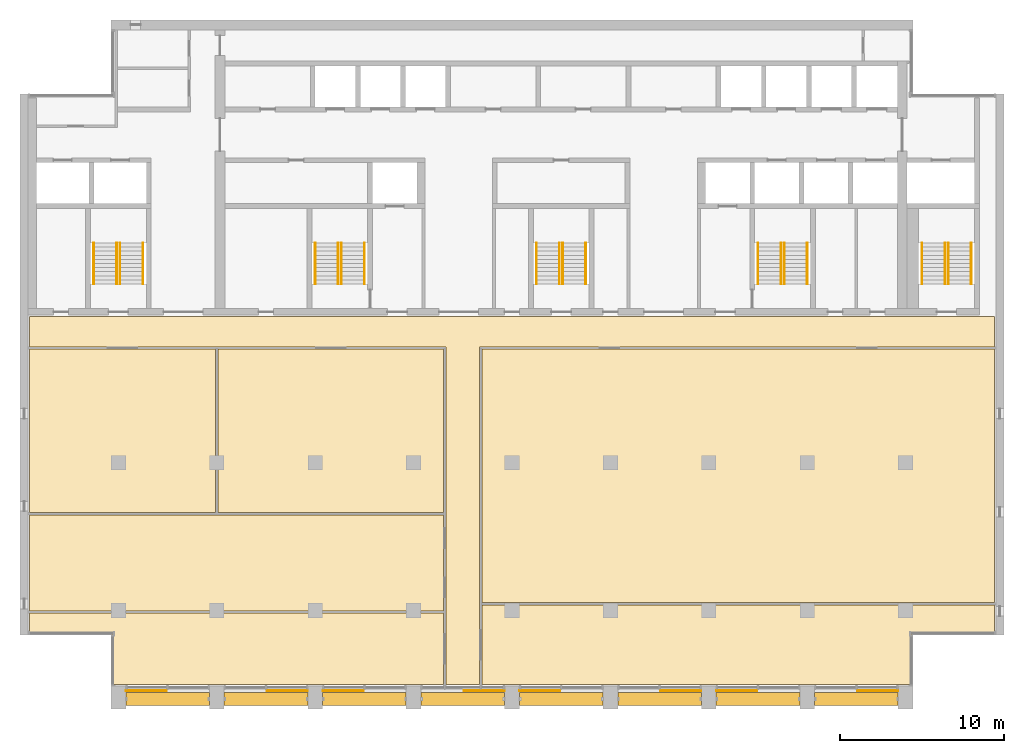
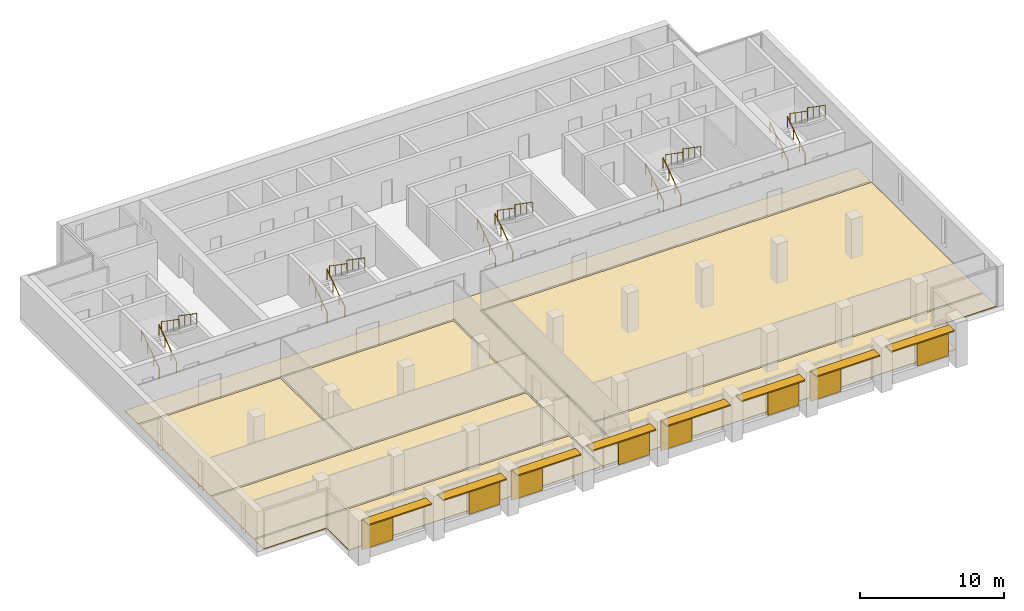
# One storey, part 14 of 14: 20 railings, 16 shading devices, 7 coverings, 5 elements without a shape of their own.
"""IFC4 building model written with IfcOpenShell, lengths in metres."""

from ifc_helpers import new_model, si_unit, direction, frame, origin, origin_2d, place, context, subcontext, project, spatial, polyline, rectangle, circle, outline, extrude, material, layer, layer_set, material_profile, profile_set, type_object, element, aggregate, save


model = new_model("IFC4")

# Units and contexts
model_context = context("Model", 3, precision=1e-05, world=origin(), true_north=direction((0.0, 1.0)))
body_context = subcontext(model_context, "Body", "Model", "MODEL_VIEW")
ifc_project = project(units=[si_unit("LENGTHUNIT", "METRE"), si_unit("AREAUNIT", "SQUARE_METRE"), si_unit("VOLUMEUNIT", "CUBIC_METRE"), si_unit("PLANEANGLEUNIT", "RADIAN"), si_unit("MASSUNIT", "GRAM", prefix="KILO")], contexts=[model_context])

# Site, building, storey
site_placement = place(None, origin())
site = spatial("IfcSite", under=ifc_project, at=site_placement, CompositionType="ELEMENT")
building_placement = place(site_placement, origin())
building = spatial("IfcBuilding", under=site, at=building_placement, Name="Calvaro Tower", CompositionType="ELEMENT")
storey_placement = place(building_placement, frame((0.0, 0.0, 239.35009765625)))
storey = spatial("IfcBuildingStorey", under=building, at=storey_placement, Name="L60", CompositionType="ELEMENT", Elevation=239.35009765625)

# Shading devices
ifc_material_1 = material(Name="Anodised aluminium", Category="aluminium")
ifc_material_profile = material_profile(ifc_material_1, rectangle(XDim=0.800048828125, YDim=0.10009765625, at=origin_2d()), Name="Brise-soleil blade 800 x 100")
ifc_profile_set = profile_set([ifc_material_profile], Name="Anodised aluminium")
shading_device_type_1 = type_object("IfcShadingDeviceType", Name="Brise-soleil blade 800 x 100", PredefinedType="JALOUSIE", material=ifc_profile_set)
for number, where, z_axis, x_axis, name in (
    (1, (12.449951171875, 4.60009765625, 2.64990234375), (1.0, 0.0, 0.0), (0.0, 1.0, 0.0), "Brise-soleil blade 1"),
    (2, (18.449951171875, 4.60009765625, 2.64990234375), (1.0, 0.0, 0.0), (0.0, 1.0, 0.0), "Brise-soleil blade 2"),
    (3, (24.449951171875, 4.60009765625, 2.64990234375), (1.0, 0.0, 0.0), (0.0, 1.0, 0.0), "Brise-soleil blade 3"),
    (4, (30.449951171875, 4.60009765625, 2.64990234375), (1.0, 0.0, 0.0), (0.0, 1.0, 0.0), "Brise-soleil blade 4"),
    (5, (36.449951171875, 4.60009765625, 2.64990234375), (1.0, 0.0, 0.0), (0.0, 1.0, 0.0), "Brise-soleil blade 5"),
    (6, (42.449951171875, 4.60009765625, 2.64990234375), (1.0, 0.0, 0.0), (0.0, 1.0, 0.0), "Brise-soleil blade 6"),
    (7, (48.449951171875, 4.60009765625, 2.64990234375), (1.0, 0.0, 0.0), (0.0, 1.0, 0.0), "Brise-soleil blade 7"),
    (8, (54.449951171875, 4.60009765625, 2.64990234375), (1.0, 0.0, 0.0), (0.0, 1.0, 0.0), "Brise-soleil blade 8"),
):
    element("IfcShadingDevice", number, at=place(storey_placement, frame(where, z_axis=z_axis, x_axis=x_axis)), inside=storey, type_object=shading_device_type_1, Name=name, PredefinedType="JALOUSIE", context=body_context, shape_type="SweptSolid", body=[
        extrude(rectangle(XDim=0.800048828125, YDim=0.10009765625, at=origin_2d()), origin(), (0.0, 0.0, 1.0), 5.10009765625),
    ])

# Coverings
ifc_material_2 = material(Name="Cement screed with carpet tile finish")
ifc_layer_1 = layer(ifc_material_2, 0.050048828125)
ifc_layer_set_1 = layer_set([ifc_layer_1], Name="Cement screed with carpet tile finish")
covering_type = type_object("IfcCoveringType", Name="Floor finish 50", PredefinedType="FLOORING", material=ifc_layer_set_1)
covering_1_placement = place(storey_placement, origin())
element("IfcCovering", 9, at=covering_1_placement, inside=storey, type_object=covering_type, Name="Floor finish 34.01", PredefinedType="FLOORING", context=body_context, shape_type="SweptSolid", body=[
    extrude(outline(polyline([(31.969970703125, 5.469970703125), (31.969970703125, 26.070068359375), (6.570068359375, 26.070068359375), (6.570068359375, 27.929931640625), (65.429931640625, 27.929931640625), (65.429931640625, 26.070068359375), (34.030029296875, 26.070068359375), (34.030029296875, 5.469970703125), (31.969970703125, 5.469970703125)])), origin(), (0.0, 0.0, 1.0), 0.0498046875),
])
covering_2_placement = place(storey_placement, origin())
element("IfcCovering", 10, at=covering_2_placement, inside=storey, type_object=covering_type, Name="Floor finish 34.02", PredefinedType="FLOORING", context=body_context, shape_type="SweptSolid", body=[
    extrude(outline(polyline([(31.830078125, 9.830078125), (31.830078125, 5.469970703125), (11.6201171875, 5.469970703125), (11.6201171875, 8.570068359375), (6.570068359375, 8.570068359375), (6.570068359375, 9.830078125), (31.830078125, 9.830078125)])), origin(), (0.0, 0.0, 1.0), 0.0498046875),
])
covering_3_placement = place(storey_placement, origin())
element("IfcCovering", 11, at=covering_3_placement, inside=storey, type_object=covering_type, Name="Floor finish 34.04", PredefinedType="FLOORING", context=body_context, shape_type="SweptSolid", body=[
    extrude(outline(polyline([(31.830078125, 15.830078125), (31.830078125, 9.969970703125), (6.570068359375, 9.969970703125), (6.570068359375, 15.830078125), (31.830078125, 15.830078125)])), origin(), (0.0, 0.0, 1.0), 0.0498046875),
])
covering_4_placement = place(storey_placement, origin())
element("IfcCovering", 12, at=covering_4_placement, inside=storey, type_object=covering_type, Name="Floor finish 34.07", PredefinedType="FLOORING", context=body_context, shape_type="SweptSolid", body=[
    extrude(outline(polyline([(17.929931640625, 25.929931640625), (17.929931640625, 15.969970703125), (6.570068359375, 15.969970703125), (6.570068359375, 25.929931640625), (17.929931640625, 25.929931640625)])), origin(), (0.0, 0.0, 1.0), 0.0498046875),
])
covering_5_placement = place(storey_placement, origin())
element("IfcCovering", 13, at=covering_5_placement, inside=storey, type_object=covering_type, Name="Floor finish 34.06", PredefinedType="FLOORING", context=body_context, shape_type="SweptSolid", body=[
    extrude(outline(polyline([(18.070068359375, 15.969970703125), (18.070068359375, 25.929931640625), (31.830078125, 25.929931640625), (31.830078125, 15.969970703125), (18.070068359375, 15.969970703125)])), origin(), (0.0, 0.0, 1.0), 0.0498046875),
])
covering_6_placement = place(storey_placement, origin())
element("IfcCovering", 14, at=covering_6_placement, inside=storey, type_object=covering_type, Name="Floor finish 34.03", PredefinedType="FLOORING", context=body_context, shape_type="SweptSolid", body=[
    extrude(outline(polyline([(65.429931640625, 8.570068359375), (60.3798828125, 8.570068359375), (60.3798828125, 5.469970703125), (34.169921875, 5.469970703125), (34.169921875, 10.330078125), (65.429931640625, 10.330078125), (65.429931640625, 8.570068359375)])), origin(), (0.0, 0.0, 1.0), 0.0498046875),
])
covering_7_placement = place(storey_placement, origin())
element("IfcCovering", 15, at=covering_7_placement, inside=storey, type_object=covering_type, Name="Floor finish 34.05", PredefinedType="FLOORING", context=body_context, shape_type="SweptSolid", body=[
    extrude(outline(polyline([(65.429931640625, 10.469970703125), (34.169921875, 10.469970703125), (34.169921875, 25.929931640625), (65.429931640625, 25.929931640625), (65.429931640625, 10.469970703125)])), origin(), (0.0, 0.0, 1.0), 0.0498046875),
])

# Shading devices
ifc_material_3 = material(Name="Ceramic")
ifc_layer_2 = layer(ifc_material_3, 0.0400390625)
ifc_layer_set_2 = layer_set([ifc_layer_2], Name="Ceramic")
shading_device_type_2 = type_object("IfcShadingDeviceType", Name="Sliding ceramic screen 2500", PredefinedType="SHUTTER", material=ifc_layer_set_2)
for number, where, z_axis, x_axis, name in (
    (16, (13.699951171875, 5.10009765625, -0.000244140625), (0.0, 0.0, 1.0), (1.0, 0.0, 0.0), "Sliding screen 1"),
    (17, (22.300048828125, 5.10009765625, -0.000244140625), (0.0, 0.0, 1.0), (1.0, 0.0, 0.0), "Sliding screen 2"),
    (18, (25.699951171875, 5.10009765625, -0.000244140625), (0.0, 0.0, 1.0), (1.0, 0.0, 0.0), "Sliding screen 3"),
    (19, (34.300048828125, 5.10009765625, -0.000244140625), (0.0, 0.0, 1.0), (1.0, 0.0, 0.0), "Sliding screen 4"),
    (20, (37.699951171875, 5.10009765625, -0.000244140625), (0.0, 0.0, 1.0), (1.0, 0.0, 0.0), "Sliding screen 5"),
    (21, (46.300048828125, 5.10009765625, -0.000244140625), (0.0, 0.0, 1.0), (1.0, 0.0, 0.0), "Sliding screen 6"),
    (22, (49.699951171875, 5.10009765625, -0.000244140625), (0.0, 0.0, 1.0), (1.0, 0.0, 0.0), "Sliding screen 7"),
    (23, (58.300048828125, 5.10009765625, -0.000244140625), (0.0, 0.0, 1.0), (1.0, 0.0, 0.0), "Sliding screen 8"),
):
    element("IfcShadingDevice", number, at=place(storey_placement, frame(where, z_axis=z_axis, x_axis=x_axis)), inside=storey, type_object=shading_device_type_2, Name=name, PredefinedType="SHUTTER", context=body_context, shape_type="SweptSolid", body=[
        extrude(rectangle(XDim=2.5, YDim=0.0400390625, at=origin_2d()), origin(), (0.0, 0.0, 1.0), 2.60009765625),
    ])

# Stair, railings
ifc_material_4 = material(Name="Concrete C40/50", Category="concrete")
stair_type = type_object("IfcStairType", Name="Exit stair 1400 2 flights", PredefinedType="HALF_TURN_STAIR", material=ifc_material_4)
stair_1_placement = place(storey_placement, origin())
stair_1 = element("IfcStair", 24, at=stair_1_placement, inside=storey, type_object=stair_type, Name="Exit stair S1", PredefinedType="HALF_TURN_STAIR")
ifc_material_5 = material(Name="Stainless steel", Category="steel")
railing_type = type_object("IfcRailingType", Name="Stair handrail", PredefinedType="HANDRAIL", material=ifc_material_5)
railing_1_placement = place(storey_placement, frame((11.89990234375, 29.89990234375, 0.172607421875)))
railing_1 = element("IfcRailing", 25, at=railing_1_placement, type_object=railing_type, Name="Exit stair 1 handrail", PredefinedType="HANDRAIL", context=body_context, shape_type="SweptSolid", body=[
    extrude(circle(Radius=0.02392578125, at=origin_2d()), frame((0.0, 0.0, 0.8759765625), z_axis=(0.0, 0.822726922227, 0.568436813941), x_axis=(-1.0, 0.0, 0.0)), (0.0, 0.0, 1.0), 3.03857421875),
    extrude(circle(Radius=0.02099609375, at=origin_2d()), frame((0.0, 0.017333984375, 0.011962890625)), (0.0, 0.0, 1.0), 0.851806640625),
    extrude(circle(Radius=0.02099609375, at=origin_2d()), frame((0.0, 0.833251953125, 0.57568359375)), (0.0, 0.0, 1.0), 0.851806640625),
    extrude(circle(Radius=0.02099609375, at=origin_2d()), frame((0.0, 1.666748046875, 1.151611328125)), (0.0, 0.0, 1.0), 0.851806640625),
    extrude(circle(Radius=0.02099609375, at=origin_2d()), frame((0.0, 2.482666015625, 1.71533203125)), (0.0, 0.0, 1.0), 0.851806640625),
])
railing_2_placement = place(storey_placement, frame((10.5, 29.89990234375, 0.172607421875)))
railing_2 = element("IfcRailing", 26, at=railing_2_placement, type_object=railing_type, Name="Exit stair 1 handrail", PredefinedType="HANDRAIL", context=body_context, shape_type="SweptSolid", body=[
    extrude(circle(Radius=0.02392578125, at=origin_2d()), frame((0.0, 0.0, 0.8759765625), z_axis=(0.0, 0.822726922227, 0.568436813941), x_axis=(-1.0, 0.0, 0.0)), (0.0, 0.0, 1.0), 3.03857421875),
    extrude(circle(Radius=0.02099609375, at=origin_2d()), frame((0.0, 0.017333984375, 0.011962890625)), (0.0, 0.0, 1.0), 0.851806640625),
    extrude(circle(Radius=0.02099609375, at=origin_2d()), frame((0.0, 0.833251953125, 0.57568359375)), (0.0, 0.0, 1.0), 0.851806640625),
    extrude(circle(Radius=0.02099609375, at=origin_2d()), frame((0.0, 1.666748046875, 1.151611328125)), (0.0, 0.0, 1.0), 0.851806640625),
    extrude(circle(Radius=0.02099609375, at=origin_2d()), frame((0.0, 2.482666015625, 1.71533203125)), (0.0, 0.0, 1.0), 0.851806640625),
])
railing_3_placement = place(storey_placement, frame((12.10009765625, 32.39990234375, 2.072509765625)))
railing_3 = element("IfcRailing", 27, at=railing_3_placement, type_object=railing_type, Name="Exit stair 1 handrail", PredefinedType="HANDRAIL", context=body_context, shape_type="SweptSolid", body=[
    extrude(circle(Radius=0.02392578125, at=origin_2d()), frame((0.0, 0.0, 0.8759765625), z_axis=(0.0, -0.822726922227, 0.568436813941), x_axis=(1.0, 0.0, 0.0)), (0.0, 0.0, 1.0), 3.03857421875),
    extrude(circle(Radius=0.02099609375, at=origin_2d()), frame((0.0, -0.017333984375, 0.011962890625)), (0.0, 0.0, 1.0), 0.851806640625),
    extrude(circle(Radius=0.02099609375, at=origin_2d()), frame((0.0, -0.833251953125, 0.57568359375)), (0.0, 0.0, 1.0), 0.851806640625),
    extrude(circle(Radius=0.02099609375, at=origin_2d()), frame((0.0, -1.666748046875, 1.151611328125)), (0.0, 0.0, 1.0), 0.851806640625),
    extrude(circle(Radius=0.02099609375, at=origin_2d()), frame((0.0, -2.482666015625, 1.71533203125)), (0.0, 0.0, 1.0), 0.851806640625),
])
railing_4_placement = place(storey_placement, frame((13.5, 32.39990234375, 2.072509765625)))
railing_4 = element("IfcRailing", 28, at=railing_4_placement, type_object=railing_type, Name="Exit stair 1 handrail", PredefinedType="HANDRAIL", context=body_context, shape_type="SweptSolid", body=[
    extrude(circle(Radius=0.02392578125, at=origin_2d()), frame((0.0, 0.0, 0.8759765625), z_axis=(0.0, -0.822726922227, 0.568436813941), x_axis=(1.0, 0.0, 0.0)), (0.0, 0.0, 1.0), 3.03857421875),
    extrude(circle(Radius=0.02099609375, at=origin_2d()), frame((0.0, -0.017333984375, 0.011962890625)), (0.0, 0.0, 1.0), 0.851806640625),
    extrude(circle(Radius=0.02099609375, at=origin_2d()), frame((0.0, -0.833251953125, 0.57568359375)), (0.0, 0.0, 1.0), 0.851806640625),
    extrude(circle(Radius=0.02099609375, at=origin_2d()), frame((0.0, -1.666748046875, 1.151611328125)), (0.0, 0.0, 1.0), 0.851806640625),
    extrude(circle(Radius=0.02099609375, at=origin_2d()), frame((0.0, -2.482666015625, 1.71533203125)), (0.0, 0.0, 1.0), 0.851806640625),
])
aggregate(stair_1, [railing_1, railing_2, railing_3, railing_4])

stair_2_placement = place(storey_placement, origin())
stair_2 = element("IfcStair", 29, at=stair_2_placement, inside=storey, type_object=stair_type, Name="Exit stair S2", PredefinedType="HALF_TURN_STAIR")
railing_5_placement = place(storey_placement, frame((25.39990234375, 29.89990234375, 0.172607421875)))
railing_5 = element("IfcRailing", 30, at=railing_5_placement, type_object=railing_type, Name="Exit stair 2 handrail", PredefinedType="HANDRAIL", context=body_context, shape_type="SweptSolid", body=[
    extrude(circle(Radius=0.02392578125, at=origin_2d()), frame((0.0, 0.0, 0.8759765625), z_axis=(0.0, 0.822726922227, 0.568436813941), x_axis=(-1.0, 0.0, 0.0)), (0.0, 0.0, 1.0), 3.03857421875),
    extrude(circle(Radius=0.02099609375, at=origin_2d()), frame((0.0, 0.017333984375, 0.011962890625)), (0.0, 0.0, 1.0), 0.851806640625),
    extrude(circle(Radius=0.02099609375, at=origin_2d()), frame((0.0, 0.833251953125, 0.57568359375)), (0.0, 0.0, 1.0), 0.851806640625),
    extrude(circle(Radius=0.02099609375, at=origin_2d()), frame((0.0, 1.666748046875, 1.151611328125)), (0.0, 0.0, 1.0), 0.851806640625),
    extrude(circle(Radius=0.02099609375, at=origin_2d()), frame((0.0, 2.482666015625, 1.71533203125)), (0.0, 0.0, 1.0), 0.851806640625),
])
railing_6_placement = place(storey_placement, frame((24.0, 29.89990234375, 0.172607421875)))
railing_6 = element("IfcRailing", 31, at=railing_6_placement, type_object=railing_type, Name="Exit stair 2 handrail", PredefinedType="HANDRAIL", context=body_context, shape_type="SweptSolid", body=[
    extrude(circle(Radius=0.02392578125, at=origin_2d()), frame((0.0, 0.0, 0.8759765625), z_axis=(0.0, 0.822726922227, 0.568436813941), x_axis=(-1.0, 0.0, 0.0)), (0.0, 0.0, 1.0), 3.03857421875),
    extrude(circle(Radius=0.02099609375, at=origin_2d()), frame((0.0, 0.017333984375, 0.011962890625)), (0.0, 0.0, 1.0), 0.851806640625),
    extrude(circle(Radius=0.02099609375, at=origin_2d()), frame((0.0, 0.833251953125, 0.57568359375)), (0.0, 0.0, 1.0), 0.851806640625),
    extrude(circle(Radius=0.02099609375, at=origin_2d()), frame((0.0, 1.666748046875, 1.151611328125)), (0.0, 0.0, 1.0), 0.851806640625),
    extrude(circle(Radius=0.02099609375, at=origin_2d()), frame((0.0, 2.482666015625, 1.71533203125)), (0.0, 0.0, 1.0), 0.851806640625),
])
railing_7_placement = place(storey_placement, frame((25.60009765625, 32.39990234375, 2.072509765625)))
railing_7 = element("IfcRailing", 32, at=railing_7_placement, type_object=railing_type, Name="Exit stair 2 handrail", PredefinedType="HANDRAIL", context=body_context, shape_type="SweptSolid", body=[
    extrude(circle(Radius=0.02392578125, at=origin_2d()), frame((0.0, 0.0, 0.8759765625), z_axis=(0.0, -0.822726922227, 0.568436813941), x_axis=(1.0, 0.0, 0.0)), (0.0, 0.0, 1.0), 3.03857421875),
    extrude(circle(Radius=0.02099609375, at=origin_2d()), frame((0.0, -0.017333984375, 0.011962890625)), (0.0, 0.0, 1.0), 0.851806640625),
    extrude(circle(Radius=0.02099609375, at=origin_2d()), frame((0.0, -0.833251953125, 0.57568359375)), (0.0, 0.0, 1.0), 0.851806640625),
    extrude(circle(Radius=0.02099609375, at=origin_2d()), frame((0.0, -1.666748046875, 1.151611328125)), (0.0, 0.0, 1.0), 0.851806640625),
    extrude(circle(Radius=0.02099609375, at=origin_2d()), frame((0.0, -2.482666015625, 1.71533203125)), (0.0, 0.0, 1.0), 0.851806640625),
])
railing_8_placement = place(storey_placement, frame((27.0, 32.39990234375, 2.072509765625)))
railing_8 = element("IfcRailing", 33, at=railing_8_placement, type_object=railing_type, Name="Exit stair 2 handrail", PredefinedType="HANDRAIL", context=body_context, shape_type="SweptSolid", body=[
    extrude(circle(Radius=0.02392578125, at=origin_2d()), frame((0.0, 0.0, 0.8759765625), z_axis=(0.0, -0.822726922227, 0.568436813941), x_axis=(1.0, 0.0, 0.0)), (0.0, 0.0, 1.0), 3.03857421875),
    extrude(circle(Radius=0.02099609375, at=origin_2d()), frame((0.0, -0.017333984375, 0.011962890625)), (0.0, 0.0, 1.0), 0.851806640625),
    extrude(circle(Radius=0.02099609375, at=origin_2d()), frame((0.0, -0.833251953125, 0.57568359375)), (0.0, 0.0, 1.0), 0.851806640625),
    extrude(circle(Radius=0.02099609375, at=origin_2d()), frame((0.0, -1.666748046875, 1.151611328125)), (0.0, 0.0, 1.0), 0.851806640625),
    extrude(circle(Radius=0.02099609375, at=origin_2d()), frame((0.0, -2.482666015625, 1.71533203125)), (0.0, 0.0, 1.0), 0.851806640625),
])
aggregate(stair_2, [railing_5, railing_6, railing_7, railing_8])

stair_3_placement = place(storey_placement, origin())
stair_3 = element("IfcStair", 34, at=stair_3_placement, inside=storey, type_object=stair_type, Name="Exit stair S3", PredefinedType="HALF_TURN_STAIR")
railing_9_placement = place(storey_placement, frame((38.89990234375, 29.89990234375, 0.172607421875)))
railing_9 = element("IfcRailing", 35, at=railing_9_placement, type_object=railing_type, Name="Exit stair 3 handrail", PredefinedType="HANDRAIL", context=body_context, shape_type="SweptSolid", body=[
    extrude(circle(Radius=0.02392578125, at=origin_2d()), frame((0.0, 0.0, 0.8759765625), z_axis=(0.0, 0.822726922227, 0.568436813941), x_axis=(-1.0, 0.0, 0.0)), (0.0, 0.0, 1.0), 3.03857421875),
    extrude(circle(Radius=0.02099609375, at=origin_2d()), frame((0.0, 0.017333984375, 0.011962890625)), (0.0, 0.0, 1.0), 0.851806640625),
    extrude(circle(Radius=0.02099609375, at=origin_2d()), frame((0.0, 0.833251953125, 0.57568359375)), (0.0, 0.0, 1.0), 0.851806640625),
    extrude(circle(Radius=0.02099609375, at=origin_2d()), frame((0.0, 1.666748046875, 1.151611328125)), (0.0, 0.0, 1.0), 0.851806640625),
    extrude(circle(Radius=0.02099609375, at=origin_2d()), frame((0.0, 2.482666015625, 1.71533203125)), (0.0, 0.0, 1.0), 0.851806640625),
])
railing_10_placement = place(storey_placement, frame((37.5, 29.89990234375, 0.172607421875)))
railing_10 = element("IfcRailing", 36, at=railing_10_placement, type_object=railing_type, Name="Exit stair 3 handrail", PredefinedType="HANDRAIL", context=body_context, shape_type="SweptSolid", body=[
    extrude(circle(Radius=0.02392578125, at=origin_2d()), frame((0.0, 0.0, 0.8759765625), z_axis=(0.0, 0.822726922227, 0.568436813941), x_axis=(-1.0, 0.0, 0.0)), (0.0, 0.0, 1.0), 3.03857421875),
    extrude(circle(Radius=0.02099609375, at=origin_2d()), frame((0.0, 0.017333984375, 0.011962890625)), (0.0, 0.0, 1.0), 0.851806640625),
    extrude(circle(Radius=0.02099609375, at=origin_2d()), frame((0.0, 0.833251953125, 0.57568359375)), (0.0, 0.0, 1.0), 0.851806640625),
    extrude(circle(Radius=0.02099609375, at=origin_2d()), frame((0.0, 1.666748046875, 1.151611328125)), (0.0, 0.0, 1.0), 0.851806640625),
    extrude(circle(Radius=0.02099609375, at=origin_2d()), frame((0.0, 2.482666015625, 1.71533203125)), (0.0, 0.0, 1.0), 0.851806640625),
])
railing_11_placement = place(storey_placement, frame((39.10009765625, 32.39990234375, 2.072509765625)))
railing_11 = element("IfcRailing", 37, at=railing_11_placement, type_object=railing_type, Name="Exit stair 3 handrail", PredefinedType="HANDRAIL", context=body_context, shape_type="SweptSolid", body=[
    extrude(circle(Radius=0.02392578125, at=origin_2d()), frame((0.0, 0.0, 0.8759765625), z_axis=(0.0, -0.822726922227, 0.568436813941), x_axis=(1.0, 0.0, 0.0)), (0.0, 0.0, 1.0), 3.03857421875),
    extrude(circle(Radius=0.02099609375, at=origin_2d()), frame((0.0, -0.017333984375, 0.011962890625)), (0.0, 0.0, 1.0), 0.851806640625),
    extrude(circle(Radius=0.02099609375, at=origin_2d()), frame((0.0, -0.833251953125, 0.57568359375)), (0.0, 0.0, 1.0), 0.851806640625),
    extrude(circle(Radius=0.02099609375, at=origin_2d()), frame((0.0, -1.666748046875, 1.151611328125)), (0.0, 0.0, 1.0), 0.851806640625),
    extrude(circle(Radius=0.02099609375, at=origin_2d()), frame((0.0, -2.482666015625, 1.71533203125)), (0.0, 0.0, 1.0), 0.851806640625),
])
railing_12_placement = place(storey_placement, frame((40.5, 32.39990234375, 2.072509765625)))
railing_12 = element("IfcRailing", 38, at=railing_12_placement, type_object=railing_type, Name="Exit stair 3 handrail", PredefinedType="HANDRAIL", context=body_context, shape_type="SweptSolid", body=[
    extrude(circle(Radius=0.02392578125, at=origin_2d()), frame((0.0, 0.0, 0.8759765625), z_axis=(0.0, -0.822726922227, 0.568436813941), x_axis=(1.0, 0.0, 0.0)), (0.0, 0.0, 1.0), 3.03857421875),
    extrude(circle(Radius=0.02099609375, at=origin_2d()), frame((0.0, -0.017333984375, 0.011962890625)), (0.0, 0.0, 1.0), 0.851806640625),
    extrude(circle(Radius=0.02099609375, at=origin_2d()), frame((0.0, -0.833251953125, 0.57568359375)), (0.0, 0.0, 1.0), 0.851806640625),
    extrude(circle(Radius=0.02099609375, at=origin_2d()), frame((0.0, -1.666748046875, 1.151611328125)), (0.0, 0.0, 1.0), 0.851806640625),
    extrude(circle(Radius=0.02099609375, at=origin_2d()), frame((0.0, -2.482666015625, 1.71533203125)), (0.0, 0.0, 1.0), 0.851806640625),
])
aggregate(stair_3, [railing_9, railing_10, railing_11, railing_12])

stair_4_placement = place(storey_placement, origin())
stair_4 = element("IfcStair", 39, at=stair_4_placement, inside=storey, type_object=stair_type, Name="Exit stair S4", PredefinedType="HALF_TURN_STAIR")
railing_13_placement = place(storey_placement, frame((52.39990234375, 29.89990234375, 0.172607421875)))
railing_13 = element("IfcRailing", 40, at=railing_13_placement, type_object=railing_type, Name="Exit stair 4 handrail", PredefinedType="HANDRAIL", context=body_context, shape_type="SweptSolid", body=[
    extrude(circle(Radius=0.02392578125, at=origin_2d()), frame((0.0, 0.0, 0.8759765625), z_axis=(0.0, 0.822726922227, 0.568436813941), x_axis=(-1.0, 0.0, 0.0)), (0.0, 0.0, 1.0), 3.03857421875),
    extrude(circle(Radius=0.02099609375, at=origin_2d()), frame((0.0, 0.017333984375, 0.011962890625)), (0.0, 0.0, 1.0), 0.851806640625),
    extrude(circle(Radius=0.02099609375, at=origin_2d()), frame((0.0, 0.833251953125, 0.57568359375)), (0.0, 0.0, 1.0), 0.851806640625),
    extrude(circle(Radius=0.02099609375, at=origin_2d()), frame((0.0, 1.666748046875, 1.151611328125)), (0.0, 0.0, 1.0), 0.851806640625),
    extrude(circle(Radius=0.02099609375, at=origin_2d()), frame((0.0, 2.482666015625, 1.71533203125)), (0.0, 0.0, 1.0), 0.851806640625),
])
railing_14_placement = place(storey_placement, frame((51.0, 29.89990234375, 0.172607421875)))
railing_14 = element("IfcRailing", 41, at=railing_14_placement, type_object=railing_type, Name="Exit stair 4 handrail", PredefinedType="HANDRAIL", context=body_context, shape_type="SweptSolid", body=[
    extrude(circle(Radius=0.02392578125, at=origin_2d()), frame((0.0, 0.0, 0.8759765625), z_axis=(0.0, 0.822726922227, 0.568436813941), x_axis=(-1.0, 0.0, 0.0)), (0.0, 0.0, 1.0), 3.03857421875),
    extrude(circle(Radius=0.02099609375, at=origin_2d()), frame((0.0, 0.017333984375, 0.011962890625)), (0.0, 0.0, 1.0), 0.851806640625),
    extrude(circle(Radius=0.02099609375, at=origin_2d()), frame((0.0, 0.833251953125, 0.57568359375)), (0.0, 0.0, 1.0), 0.851806640625),
    extrude(circle(Radius=0.02099609375, at=origin_2d()), frame((0.0, 1.666748046875, 1.151611328125)), (0.0, 0.0, 1.0), 0.851806640625),
    extrude(circle(Radius=0.02099609375, at=origin_2d()), frame((0.0, 2.482666015625, 1.71533203125)), (0.0, 0.0, 1.0), 0.851806640625),
])
railing_15_placement = place(storey_placement, frame((52.60009765625, 32.39990234375, 2.072509765625)))
railing_15 = element("IfcRailing", 42, at=railing_15_placement, type_object=railing_type, Name="Exit stair 4 handrail", PredefinedType="HANDRAIL", context=body_context, shape_type="SweptSolid", body=[
    extrude(circle(Radius=0.02392578125, at=origin_2d()), frame((0.0, 0.0, 0.8759765625), z_axis=(0.0, -0.822726922227, 0.568436813941), x_axis=(1.0, 0.0, 0.0)), (0.0, 0.0, 1.0), 3.03857421875),
    extrude(circle(Radius=0.02099609375, at=origin_2d()), frame((0.0, -0.017333984375, 0.011962890625)), (0.0, 0.0, 1.0), 0.851806640625),
    extrude(circle(Radius=0.02099609375, at=origin_2d()), frame((0.0, -0.833251953125, 0.57568359375)), (0.0, 0.0, 1.0), 0.851806640625),
    extrude(circle(Radius=0.02099609375, at=origin_2d()), frame((0.0, -1.666748046875, 1.151611328125)), (0.0, 0.0, 1.0), 0.851806640625),
    extrude(circle(Radius=0.02099609375, at=origin_2d()), frame((0.0, -2.482666015625, 1.71533203125)), (0.0, 0.0, 1.0), 0.851806640625),
])
railing_16_placement = place(storey_placement, frame((54.0, 32.39990234375, 2.072509765625)))
railing_16 = element("IfcRailing", 43, at=railing_16_placement, type_object=railing_type, Name="Exit stair 4 handrail", PredefinedType="HANDRAIL", context=body_context, shape_type="SweptSolid", body=[
    extrude(circle(Radius=0.02392578125, at=origin_2d()), frame((0.0, 0.0, 0.8759765625), z_axis=(0.0, -0.822726922227, 0.568436813941), x_axis=(1.0, 0.0, 0.0)), (0.0, 0.0, 1.0), 3.03857421875),
    extrude(circle(Radius=0.02099609375, at=origin_2d()), frame((0.0, -0.017333984375, 0.011962890625)), (0.0, 0.0, 1.0), 0.851806640625),
    extrude(circle(Radius=0.02099609375, at=origin_2d()), frame((0.0, -0.833251953125, 0.57568359375)), (0.0, 0.0, 1.0), 0.851806640625),
    extrude(circle(Radius=0.02099609375, at=origin_2d()), frame((0.0, -1.666748046875, 1.151611328125)), (0.0, 0.0, 1.0), 0.851806640625),
    extrude(circle(Radius=0.02099609375, at=origin_2d()), frame((0.0, -2.482666015625, 1.71533203125)), (0.0, 0.0, 1.0), 0.851806640625),
])
aggregate(stair_4, [railing_13, railing_14, railing_15, railing_16])

stair_5_placement = place(storey_placement, origin())
stair_5 = element("IfcStair", 44, at=stair_5_placement, inside=storey, type_object=stair_type, Name="Exit stair S5", PredefinedType="HALF_TURN_STAIR")
railing_17_placement = place(storey_placement, frame((62.39990234375, 29.89990234375, 0.172607421875)))
railing_17 = element("IfcRailing", 45, at=railing_17_placement, type_object=railing_type, Name="Exit stair 5 handrail", PredefinedType="HANDRAIL", context=body_context, shape_type="SweptSolid", body=[
    extrude(circle(Radius=0.02392578125, at=origin_2d()), frame((0.0, 0.0, 0.8759765625), z_axis=(0.0, 0.822726922227, 0.568436813941), x_axis=(-1.0, 0.0, 0.0)), (0.0, 0.0, 1.0), 3.03857421875),
    extrude(circle(Radius=0.02099609375, at=origin_2d()), frame((0.0, 0.017333984375, 0.011962890625)), (0.0, 0.0, 1.0), 0.851806640625),
    extrude(circle(Radius=0.02099609375, at=origin_2d()), frame((0.0, 0.833251953125, 0.57568359375)), (0.0, 0.0, 1.0), 0.851806640625),
    extrude(circle(Radius=0.02099609375, at=origin_2d()), frame((0.0, 1.666748046875, 1.151611328125)), (0.0, 0.0, 1.0), 0.851806640625),
    extrude(circle(Radius=0.02099609375, at=origin_2d()), frame((0.0, 2.482666015625, 1.71533203125)), (0.0, 0.0, 1.0), 0.851806640625),
])
railing_18_placement = place(storey_placement, frame((61.0, 29.89990234375, 0.172607421875)))
railing_18 = element("IfcRailing", 46, at=railing_18_placement, type_object=railing_type, Name="Exit stair 5 handrail", PredefinedType="HANDRAIL", context=body_context, shape_type="SweptSolid", body=[
    extrude(circle(Radius=0.02392578125, at=origin_2d()), frame((0.0, 0.0, 0.8759765625), z_axis=(0.0, 0.822726922227, 0.568436813941), x_axis=(-1.0, 0.0, 0.0)), (0.0, 0.0, 1.0), 3.03857421875),
    extrude(circle(Radius=0.02099609375, at=origin_2d()), frame((0.0, 0.017333984375, 0.011962890625)), (0.0, 0.0, 1.0), 0.851806640625),
    extrude(circle(Radius=0.02099609375, at=origin_2d()), frame((0.0, 0.833251953125, 0.57568359375)), (0.0, 0.0, 1.0), 0.851806640625),
    extrude(circle(Radius=0.02099609375, at=origin_2d()), frame((0.0, 1.666748046875, 1.151611328125)), (0.0, 0.0, 1.0), 0.851806640625),
    extrude(circle(Radius=0.02099609375, at=origin_2d()), frame((0.0, 2.482666015625, 1.71533203125)), (0.0, 0.0, 1.0), 0.851806640625),
])
railing_19_placement = place(storey_placement, frame((62.60009765625, 32.39990234375, 2.072509765625)))
railing_19 = element("IfcRailing", 47, at=railing_19_placement, type_object=railing_type, Name="Exit stair 5 handrail", PredefinedType="HANDRAIL", context=body_context, shape_type="SweptSolid", body=[
    extrude(circle(Radius=0.02392578125, at=origin_2d()), frame((0.0, 0.0, 0.8759765625), z_axis=(0.0, -0.822726922227, 0.568436813941), x_axis=(1.0, 0.0, 0.0)), (0.0, 0.0, 1.0), 3.03857421875),
    extrude(circle(Radius=0.02099609375, at=origin_2d()), frame((0.0, -0.017333984375, 0.011962890625)), (0.0, 0.0, 1.0), 0.851806640625),
    extrude(circle(Radius=0.02099609375, at=origin_2d()), frame((0.0, -0.833251953125, 0.57568359375)), (0.0, 0.0, 1.0), 0.851806640625),
    extrude(circle(Radius=0.02099609375, at=origin_2d()), frame((0.0, -1.666748046875, 1.151611328125)), (0.0, 0.0, 1.0), 0.851806640625),
    extrude(circle(Radius=0.02099609375, at=origin_2d()), frame((0.0, -2.482666015625, 1.71533203125)), (0.0, 0.0, 1.0), 0.851806640625),
])
railing_20_placement = place(storey_placement, frame((64.0, 32.39990234375, 2.072509765625)))
railing_20 = element("IfcRailing", 48, at=railing_20_placement, type_object=railing_type, Name="Exit stair 5 handrail", PredefinedType="HANDRAIL", context=body_context, shape_type="SweptSolid", body=[
    extrude(circle(Radius=0.02392578125, at=origin_2d()), frame((0.0, 0.0, 0.8759765625), z_axis=(0.0, -0.822726922227, 0.568436813941), x_axis=(1.0, 0.0, 0.0)), (0.0, 0.0, 1.0), 3.03857421875),
    extrude(circle(Radius=0.02099609375, at=origin_2d()), frame((0.0, -0.017333984375, 0.011962890625)), (0.0, 0.0, 1.0), 0.851806640625),
    extrude(circle(Radius=0.02099609375, at=origin_2d()), frame((0.0, -0.833251953125, 0.57568359375)), (0.0, 0.0, 1.0), 0.851806640625),
    extrude(circle(Radius=0.02099609375, at=origin_2d()), frame((0.0, -1.666748046875, 1.151611328125)), (0.0, 0.0, 1.0), 0.851806640625),
    extrude(circle(Radius=0.02099609375, at=origin_2d()), frame((0.0, -2.482666015625, 1.71533203125)), (0.0, 0.0, 1.0), 0.851806640625),
])
aggregate(stair_5, [railing_17, railing_18, railing_19, railing_20])

save(model, "model.ifc")
